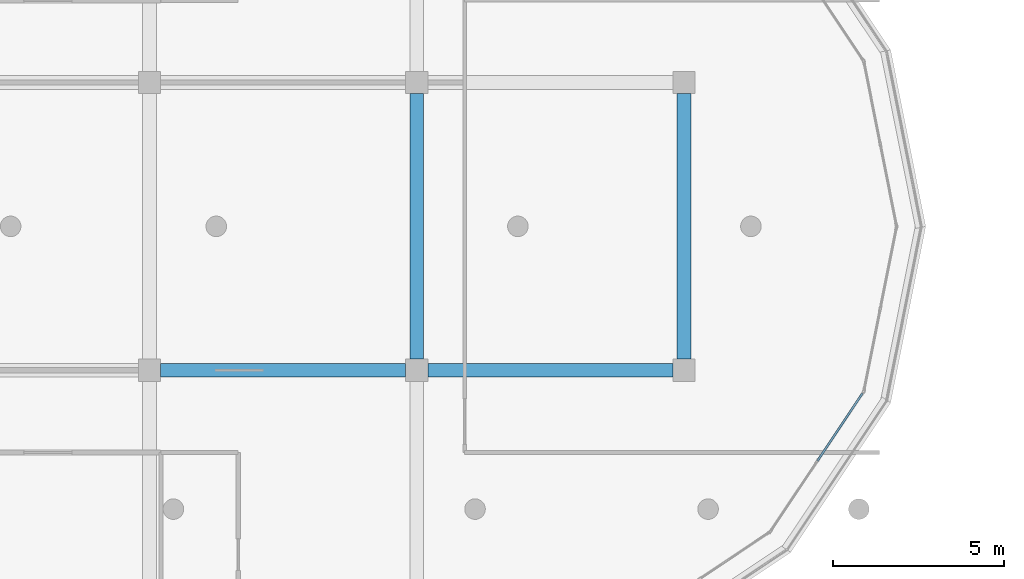
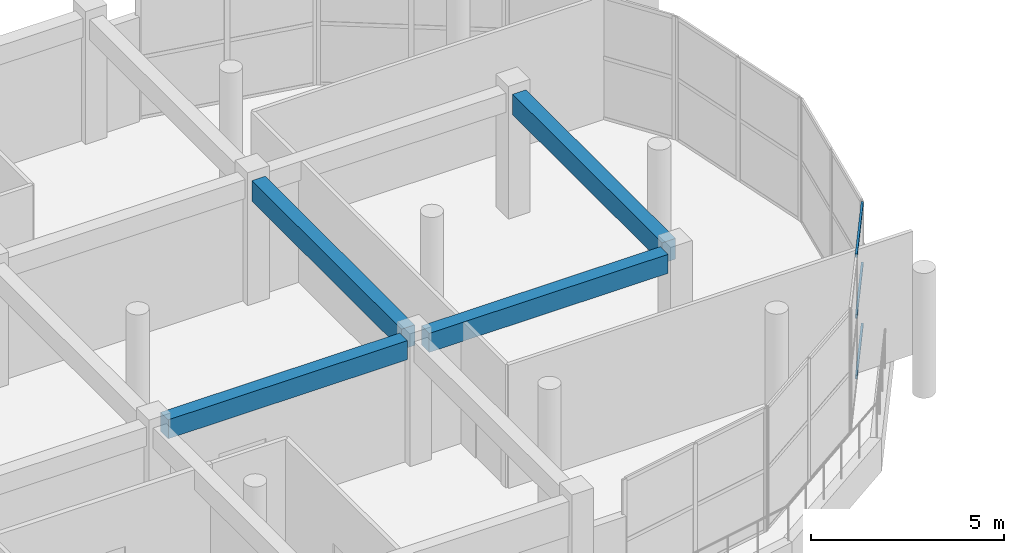
# One storey, part 31 of 57: 4 beams, 3 members, 1 element without a shape of its own.
"""IFC4 building model written with IfcOpenShell, lengths in metres."""

from ifc_helpers import new_model, si_unit, direction, frame, origin, origin_2d, place, context, subcontext, project, spatial, rectangle, hollow_rectangle, extrude, material, layer, layer_set, material_profile, profile_set, type_object, element, aggregate, save


model = new_model("IFC4")

# Units and contexts
model_context = context("Model", 3, precision=1e-05, world=origin(), true_north=direction((0.0, 1.0)))
body_context = subcontext(model_context, "Body", "Model", "MODEL_VIEW")
ifc_project = project(units=[si_unit("LENGTHUNIT", "METRE"), si_unit("AREAUNIT", "SQUARE_METRE"), si_unit("VOLUMEUNIT", "CUBIC_METRE"), si_unit("PLANEANGLEUNIT", "RADIAN"), si_unit("MASSUNIT", "GRAM", prefix="KILO")], contexts=[model_context])

# Site, building, storey
site_placement = place(None, origin())
site = spatial("IfcSite", under=ifc_project, at=site_placement, CompositionType="ELEMENT")
building_placement = place(site_placement, origin())
building = spatial("IfcBuilding", under=site, at=building_placement, Name="Zizhar Promenade General Hospital", CompositionType="ELEMENT")
storey_placement = place(building_placement, frame((0.0, 0.0, 22.199951171875)))
storey = spatial("IfcBuildingStorey", under=building, at=storey_placement, Name="L05", CompositionType="ELEMENT", Elevation=22.199951171875)

# Beams
ifc_material_1 = material(Name="Concrete C35/45", Category="concrete")
ifc_material_profile_1 = material_profile(ifc_material_1, rectangle(XDim=0.39990234375, YDim=0.60009765625, at=origin_2d()))
ifc_profile_set_1 = profile_set([ifc_material_profile_1], Name="Concrete C35/45")
beam_type_1 = type_object("IfcBeamType", Name="BM-RC-400x600", PredefinedType="JOIST", material=ifc_profile_set_1)
for number, where, z_axis, x_axis, name in (
    (1, (109.52490234375, 8.39990234375, 3.610107421875), (1.0, 0.0, 0.0), (0.0, 1.0, 0.0), "Grid Beam X L05 (14-1)"),
    (2, (117.324951171875, 8.39990234375, 3.610107421875), (1.0, 0.0, 0.0), (0.0, 1.0, 0.0), "Grid Beam X L05 (15-1)"),
):
    element("IfcBeam", number, at=place(storey_placement, frame(where, z_axis=z_axis, x_axis=x_axis)), inside=storey, type_object=beam_type_1, Name=name, PredefinedType="JOIST", context=body_context, shape_type="SweptSolid", body=[
        extrude(rectangle(XDim=0.39990234375, YDim=0.60009765625, at=origin_2d()), origin(), (0.0, 0.0, 1.0), 7.150146484375),
    ])
ifc_material_2 = material(Name="Concrete C35/45", Category="concrete")
ifc_material_profile_2 = material_profile(ifc_material_2, rectangle(XDim=0.39990234375, YDim=0.64990234375, at=origin_2d()))
ifc_profile_set_2 = profile_set([ifc_material_profile_2], Name="Concrete C35/45")
beam_type_2 = type_object("IfcBeamType", Name="BM-RC-400x650", PredefinedType="BEAM", material=ifc_profile_set_2)
for number, where, z_axis, x_axis, name in (
    (3, (117.0, 8.72509765625, 3.5849609375), (0.0, 1.0, 0.0), (-1.0, 0.0, 0.0), "Grid Beam Y L05 (15-1)"),
    (4, (124.800048828125, 8.72509765625, 3.5849609375), (0.0, 1.0, 0.0), (-1.0, 0.0, 0.0), "Grid Beam Y L05 (16-1)"),
):
    element("IfcBeam", number, at=place(storey_placement, frame(where, z_axis=z_axis, x_axis=x_axis)), inside=storey, type_object=beam_type_2, Name=name, PredefinedType="BEAM", context=body_context, shape_type="SweptSolid", body=[
        extrude(rectangle(XDim=0.39990234375, YDim=0.64990234375, at=origin_2d()), origin(), (0.0, 0.0, 1.0), 7.75),
    ])

# Curtain wall, members
ifc_material_3 = material(Name="Anodised aluminium 6063-T6 and low-E glass", Category="aluminium")
ifc_layer = layer(ifc_material_3, 0.159912109375)
ifc_layer_set = layer_set([ifc_layer], Name="Anodised aluminium 6063-T6 and low-E glass")
curtain_wall_type = type_object("IfcCurtainWallType", Name="CW-WARD-ARC", PredefinedType="NOTDEFINED", material=ifc_layer_set)
curtain_wall_placement = place(storey_placement, origin())
curtain_wall = element("IfcCurtainWall", 5, at=curtain_wall_placement, inside=storey, type_object=curtain_wall_type, Name="Ward Semicircular End Glazing L05-03", PredefinedType="NOTDEFINED")
ifc_material_4 = material(Name="Anodised aluminium 6063-T6", Category="aluminium")
ifc_material_profile_3 = material_profile(ifc_material_4, hollow_rectangle(XDim=0.06005859375, YDim=0.1201171875, WallThickness=0.00390625, at=origin_2d()))
ifc_profile_set_3 = profile_set([ifc_material_profile_3], Name="Anodised aluminium 6063-T6")
member_type = type_object("IfcMemberType", Name="CWT-ALU-120x60", PredefinedType="USERDEFINED", material=ifc_profile_set_3)
member_1_placement = place(storey_placement, frame((130.007568359375, 7.728271484375, 0.030029296875), z_axis=(-0.555580160396, -0.831462978956, 0.0), x_axis=(0.831462978956, -0.555580160396, 0.0)))
member_1 = element("IfcMember", 6, at=member_1_placement, type_object=member_type, Name="CW-12 transom 1.1", ObjectType="TRANSOM", PredefinedType="USERDEFINED", context=body_context, shape_type="SweptSolid", body=[
    extrude(hollow_rectangle(XDim=0.06005859375, YDim=0.1201171875, WallThickness=0.00390625, at=origin_2d()), origin(), (0.0, 0.0, 1.0), 2.3681640625),
])
member_2_placement = place(storey_placement, frame((130.007568359375, 7.728271484375, 1.949951171875), z_axis=(-0.555580160396, -0.831462978956, 0.0), x_axis=(0.831462978956, -0.555580160396, 0.0)))
member_2 = element("IfcMember", 7, at=member_2_placement, type_object=member_type, Name="CW-12 transom 1.2", ObjectType="TRANSOM", PredefinedType="USERDEFINED", context=body_context, shape_type="SweptSolid", body=[
    extrude(hollow_rectangle(XDim=0.06005859375, YDim=0.1201171875, WallThickness=0.00390625, at=origin_2d()), origin(), (0.0, 0.0, 1.0), 2.3681640625),
])
member_3_placement = place(storey_placement, frame((130.007568359375, 7.728271484375, 3.8701171875), z_axis=(-0.555580160396, -0.831462978956, 0.0), x_axis=(0.831462978956, -0.555580160396, 0.0)))
member_3 = element("IfcMember", 8, at=member_3_placement, type_object=member_type, Name="CW-12 transom 1.3", ObjectType="TRANSOM", PredefinedType="USERDEFINED", context=body_context, shape_type="SweptSolid", body=[
    extrude(hollow_rectangle(XDim=0.06005859375, YDim=0.1201171875, WallThickness=0.00390625, at=origin_2d()), origin(), (0.0, 0.0, 1.0), 2.3681640625),
])
aggregate(curtain_wall, [member_1, member_2, member_3])

save(model, "model.ifc")
